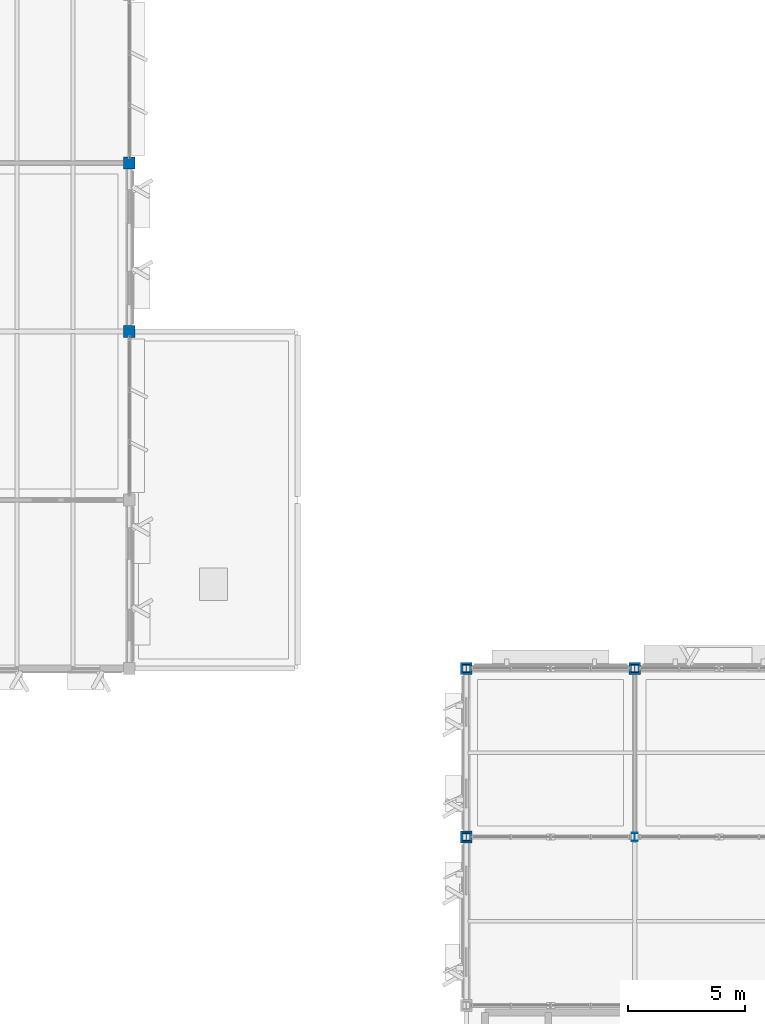
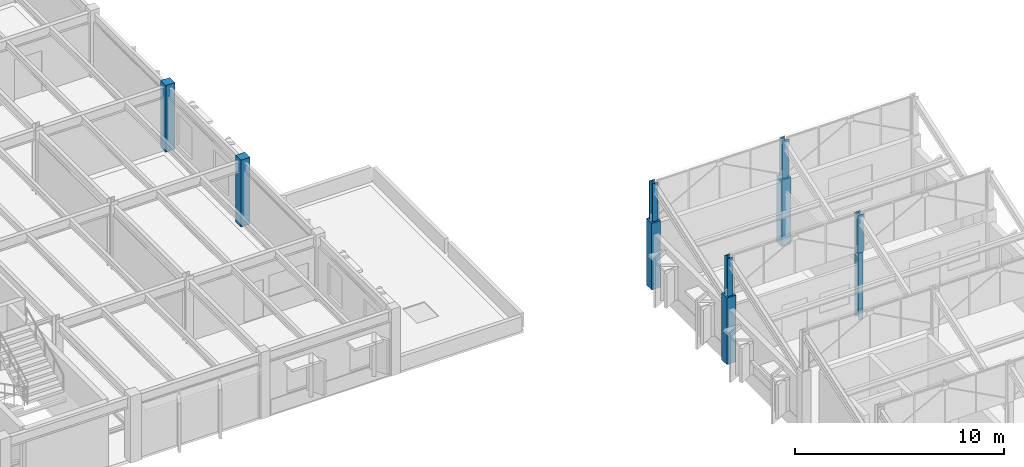
# One storey, part 11 of 82: 10 columns.
"""IFC4 building model written with IfcOpenShell, lengths in metres."""

from ifc_helpers import new_model, si_unit, direction, frame, origin, origin_2d, place, context, subcontext, project, spatial, rectangle, i_section, extrude, material, material_profile, profile_set, type_object, element, save


model = new_model("IFC4")

# Units and contexts
model_context = context("Model", 3, precision=1e-05, world=origin(), true_north=direction((0.0, 1.0)))
body_context = subcontext(model_context, "Body", "Model", "MODEL_VIEW")
ifc_project = project(units=[si_unit("LENGTHUNIT", "METRE"), si_unit("AREAUNIT", "SQUARE_METRE"), si_unit("VOLUMEUNIT", "CUBIC_METRE"), si_unit("PLANEANGLEUNIT", "RADIAN"), si_unit("MASSUNIT", "GRAM", prefix="KILO")], contexts=[model_context])

# Site, building, storey
site_placement = place(None, origin())
site = spatial("IfcSite", under=ifc_project, at=site_placement, CompositionType="ELEMENT")
building_placement = place(site_placement, origin())
building = spatial("IfcBuilding", under=site, at=building_placement, Name="Sillqori Civic Hall", CompositionType="ELEMENT")
storey_placement = place(building_placement, frame((0.0, 0.0, 14.10009765625)))
storey = spatial("IfcBuildingStorey", under=building, at=storey_placement, Name="L04", CompositionType="ELEMENT", Elevation=14.10009765625)

# Columns
ifc_material_1 = material(Name="Concrete C35/45 (H35)", Category="concrete")
ifc_material_profile_1 = material_profile(ifc_material_1, rectangle(XDim=0.5, YDim=0.5, at=origin_2d()), Name="RC 500x500")
ifc_profile_set_1 = profile_set([ifc_material_profile_1], Name="Concrete C35/45 (H35)")
column_type_1 = type_object("IfcColumnType", Name="COL-RC500", PredefinedType="COLUMN", material=ifc_profile_set_1)
for number, where, z_axis, x_axis, name in (
    (1, (108.0, 93.60009765625, 0.0), (0.0, 0.0, 1.0), (1.0, 0.0, 0.0), "L04 column 15-13"),
    (2, (108.0, 100.800048828125, 0.0), (0.0, 0.0, 1.0), (1.0, 0.0, 0.0), "L04 column 15-14"),
    (3, (122.39990234375, 72.0, 0.0), (0.0, 0.0, 1.0), (1.0, 0.0, 0.0), "L04 column 17-10"),
    (4, (122.39990234375, 79.199951171875, 0.0), (0.0, 0.0, 1.0), (1.0, 0.0, 0.0), "L04 column 17-11"),
    (5, (129.60009765625, 79.199951171875, 0.0), (0.0, 0.0, 1.0), (1.0, 0.0, 0.0), "L04 column 18-11"),
):
    element("IfcColumn", number, at=place(storey_placement, frame(where, z_axis=z_axis, x_axis=x_axis)), inside=storey, type_object=column_type_1, Name=name, PredefinedType="COLUMN", context=body_context, shape_type="SweptSolid", body=[
        extrude(rectangle(XDim=0.5, YDim=0.5, at=origin_2d()), origin(), (0.0, 0.0, 1.0), 3.89990234375),
    ])
ifc_material_2 = material(Name="Steel ASTM A992", Category="steel")
ifc_material_profile_2 = material_profile(ifc_material_2, i_section(OverallWidth=0.30908203125, OverallDepth=0.322998046875, WebThickness=0.013916015625, FlangeThickness=0.02294921875, FilletRadius=0.014892578125, at=origin_2d()), Name="W12X96")
ifc_profile_set_2 = profile_set([ifc_material_profile_2], Name="Steel ASTM A992")
column_type_2 = type_object("IfcColumnType", Name="COL-W12X96", PredefinedType="COLUMN", material=ifc_profile_set_2)
for number, where, z_axis, x_axis, name in (
    (6, (122.39990234375, 72.0, 3.89990234375), (0.0, 0.0, 1.0), (1.0, 0.0, 0.0), "Clerestory ridge post 17-9"),
    (7, (129.60009765625, 72.0, 3.89990234375), (0.0, 0.0, 1.0), (1.0, 0.0, 0.0), "Clerestory ridge post 18-9"),
    (8, (122.39990234375, 79.199951171875, 3.89990234375), (0.0, 0.0, 1.0), (1.0, 0.0, 0.0), "Clerestory ridge post 17-10"),
    (9, (129.60009765625, 79.199951171875, 3.89990234375), (0.0, 0.0, 1.0), (1.0, 0.0, 0.0), "Clerestory ridge post 18-10"),
):
    element("IfcColumn", number, at=place(storey_placement, frame(where, z_axis=z_axis, x_axis=x_axis)), inside=storey, type_object=column_type_2, Name=name, PredefinedType="COLUMN", context=body_context, shape_type="SweptSolid", body=[
        extrude(i_section(OverallWidth=0.30908203125, OverallDepth=0.322998046875, WebThickness=0.013916015625, FlangeThickness=0.02294921875, FilletRadius=0.014892578125, at=origin_2d()), origin(), (0.0, 0.0, 1.0), 2.219970703125),
    ])
ifc_material_profile_3 = material_profile(ifc_material_2, i_section(OverallWidth=0.257080078125, OverallDepth=0.363037109375, WebThickness=0.012939453125, FlangeThickness=0.021728515625, FilletRadius=0.014892578125, at=origin_2d()), Name="W14X82")
ifc_profile_set_3 = profile_set([ifc_material_profile_3], Name="Steel ASTM A992")
column_type_3 = type_object("IfcColumnType", Name="COL-W14X82", PredefinedType="COLUMN", material=ifc_profile_set_3)
column_placement = place(storey_placement, frame((129.60009765625, 72.0, 0.0), z_axis=(0.0, 0.0, 1.0), x_axis=(1.0, 0.0, 0.0)))
element("IfcColumn", 10, at=column_placement, inside=storey, type_object=column_type_3, Name="L04 column 18-10", PredefinedType="COLUMN", context=body_context, shape_type="SweptSolid", body=[
    extrude(i_section(OverallWidth=0.257080078125, OverallDepth=0.363037109375, WebThickness=0.012939453125, FlangeThickness=0.021728515625, FilletRadius=0.014892578125, at=origin_2d()), origin(), (0.0, 0.0, 1.0), 3.89990234375),
])

save(model, "model.ifc")
